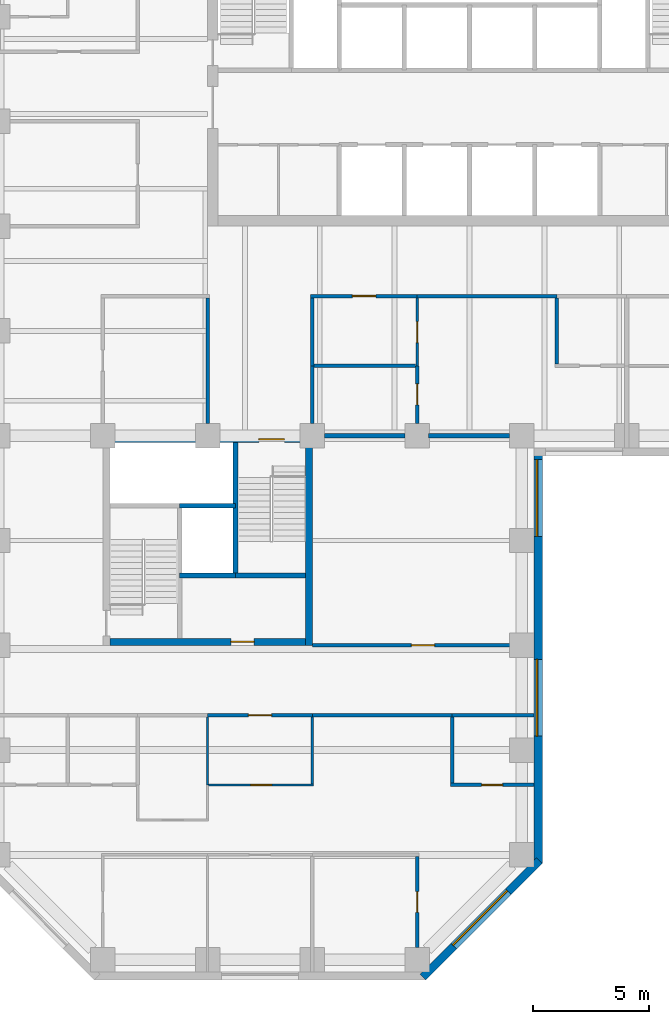
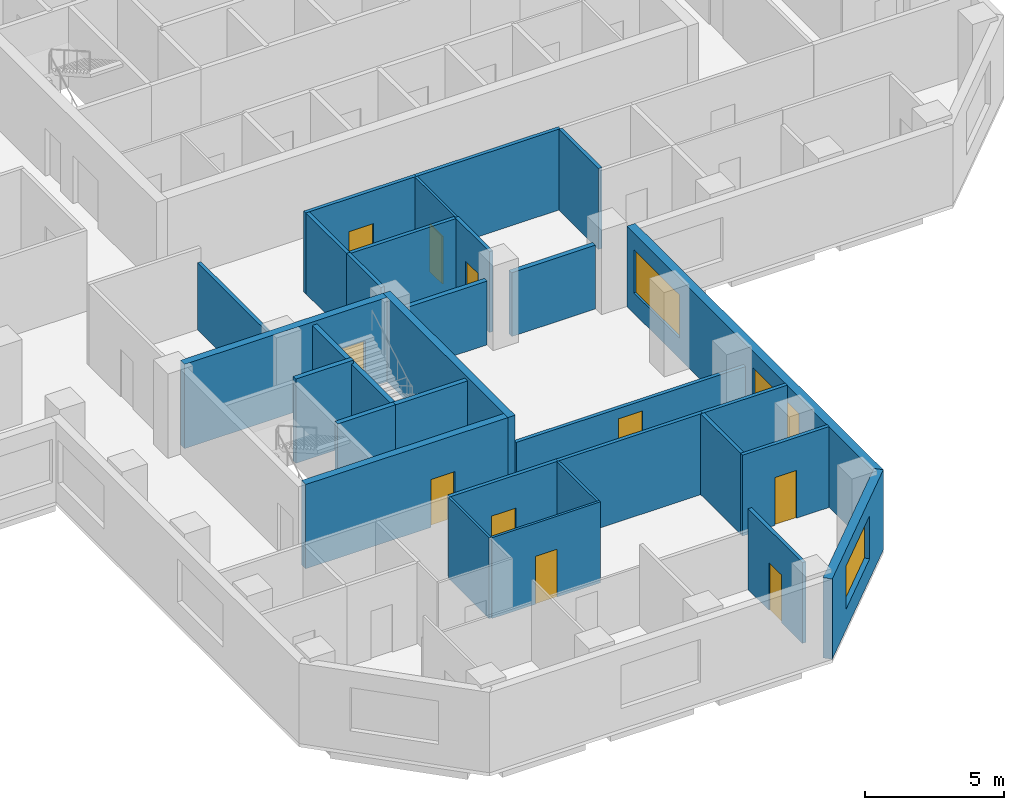
# One storey, part 4 of 11: 30 walls, 10 doors, 3 windows, 13 openings.
"""IFC4 building model written with IfcOpenShell, lengths in metres."""

from ifc_helpers import new_model, si_unit, direction, frame, frame_2d, origin, place, context, subcontext, project, spatial, rectangle, extrude, material, layer, layer_set, constituent, constituent_set, type_object, element, fill, save


model = new_model("IFC4")

# Units and contexts
model_context = context("Model", 3, precision=1e-05, world=origin(), true_north=direction((0.0, 1.0)))
body_context = subcontext(model_context, "Body", "Model", "MODEL_VIEW")
ifc_project = project(units=[si_unit("LENGTHUNIT", "METRE"), si_unit("AREAUNIT", "SQUARE_METRE"), si_unit("VOLUMEUNIT", "CUBIC_METRE"), si_unit("PLANEANGLEUNIT", "RADIAN"), si_unit("MASSUNIT", "GRAM", prefix="KILO")], contexts=[model_context])

# Site, building, storey
site_placement = place(None, origin())
site = spatial("IfcSite", under=ifc_project, at=site_placement, CompositionType="ELEMENT")
building_placement = place(site_placement, origin())
building = spatial("IfcBuilding", under=site, at=building_placement, Name="Quoin Convention Tower", CompositionType="ELEMENT")
storey_placement = place(building_placement, frame((0.0, 0.0, 134.39990234375)))
storey = spatial("IfcBuildingStorey", under=building, at=storey_placement, Name="L35", CompositionType="ELEMENT", Elevation=134.39990234375)

# Wall
ifc_material_1 = material(Name="Plasterboard")
ifc_layer_1 = layer(ifc_material_1, 0.012451171875, Name="Finish")
ifc_material_2 = material(Name="Steel stud framing", Category="steel")
ifc_layer_2 = layer(ifc_material_2, 0.125, Name="Structure")
ifc_layer_3 = layer(ifc_material_1, 0.012451171875, Name="Finish")
ifc_layer_set_1 = layer_set([ifc_layer_1, ifc_layer_2, ifc_layer_3], Name="Steel stud framing")
wall_type_1 = type_object("IfcWallType", Name="Acoustic partition 150", PredefinedType="PARTITIONING", material=ifc_layer_set_1)
wall_1_placement = place(storey_placement, frame((49.574951171875, 43.5, 0.0), z_axis=(0.0, 0.0, 1.0), x_axis=(1.0, 0.0, 0.0)))
element("IfcWall", 1, at=wall_1_placement, inside=storey, type_object=wall_type_1, Name="pw-L35-019", PredefinedType="PARTITIONING", context=body_context, shape_type="SweptSolid", body=[
    extrude(rectangle(XDim=4.35009765625, YDim=0.14990234375, at=frame_2d((2.175048828125, 0.0))), origin(), (0.0, 0.0, 1.0), 3.550048828125),
])

# Wall, opening, door
wall_2_placement = place(storey_placement, frame((54.0, 18.52490234375, 0.0), z_axis=(0.0, 0.0, 1.0), x_axis=(0.0, 1.0, 0.0)))
wall_2 = element("IfcWall", 2, at=wall_2_placement, inside=storey, type_object=wall_type_1, Name="pw-L35-061", PredefinedType="PARTITIONING", context=body_context, shape_type="SweptSolid", body=[
    extrude(rectangle(XDim=3.900146484375, YDim=0.14990234375, at=frame_2d((1.9501953125, 0.0))), origin(), (0.0, 0.0, 1.0), 3.550048828125),
])
opening_1_placement = place(wall_2_placement, frame((1.5, 0.0, 0.0)))
opening_1 = element("IfcOpeningElement", 3, at=opening_1_placement, cuts=wall_2, Name="Opening DOL7-26", PredefinedType="OPENING", context=body_context, shape_type="SweptSolid", body=[
    extrude(rectangle(XDim=0.89990234375, YDim=2.10009765625, at=frame_2d((0.449951171875, 1.050048828125))), frame((0.0, 0.0849609375, 0.0), z_axis=(0.0, -1.0, 0.0), x_axis=(1.0, 0.0, 0.0)), (0.0, 0.0, 1.0), 0.169921875),
])
ifc_material_3 = material(Name="Steel door leaf", Category="steel")
door_type_1 = type_object("IfcDoorType", Name="Office door 900 x 2100", OperationType="SINGLE_SWING_RIGHT", PredefinedType="DOOR", material=ifc_material_3)
door_1_placement = place(opening_1_placement, frame((0.89990234375, 0.0, 0.0), z_axis=(0.0, 0.0, 1.0), x_axis=(-1.0, 0.0, 0.0)))
door_1 = element("IfcDoor", 4, at=door_1_placement, inside=storey, type_object=door_type_1, Name="dr-L35-14", OperationType="SINGLE_SWING_LEFT", OverallHeight=2.10009765625, OverallWidth=0.89990234375, PredefinedType="DOOR", context=body_context, shape_type="SweptSolid", body=[
    extrude(rectangle(XDim=0.89990234375, YDim=2.10009765625, at=frame_2d((0.449951171875, 1.050048828125))), frame((0.0, 0.02490234375, 0.0), z_axis=(0.0, -1.0, 0.0), x_axis=(1.0, 0.0, 0.0)), (0.0, 0.0, 1.0), 0.050048828125),
])
fill(opening_1, door_1)

wall_3_placement = place(storey_placement, frame((54.0, 41.02490234375, 0.0), z_axis=(0.0, 0.0, 1.0), x_axis=(0.0, 1.0, 0.0)))
wall_3 = element("IfcWall", 5, at=wall_3_placement, inside=storey, type_object=wall_type_1, Name="pw-L35-076", PredefinedType="PARTITIONING", context=body_context, shape_type="SweptSolid", body=[
    extrude(rectangle(XDim=2.47509765625, YDim=0.14990234375, at=frame_2d((1.237548828125, 0.0))), origin(), (0.0, 0.0, 1.0), 3.550048828125),
])
opening_2_placement = place(wall_3_placement, frame((0.800048828125, 0.0, 0.0)))
opening_2 = element("IfcOpeningElement", 6, at=opening_2_placement, cuts=wall_3, Name="Opening DOL7-28", PredefinedType="OPENING", context=body_context, shape_type="SweptSolid", body=[
    extrude(rectangle(XDim=0.89990234375, YDim=2.10009765625, at=frame_2d((0.449951171875, 1.050048828125))), frame((0.0, 0.0849609375, 0.0), z_axis=(0.0, -1.0, 0.0), x_axis=(1.0, 0.0, 0.0)), (0.0, 0.0, 1.0), 0.169921875),
])
door_2_placement = place(opening_2_placement, frame((0.89990234375, 0.0, 0.0), z_axis=(0.0, 0.0, 1.0), x_axis=(-1.0, 0.0, 0.0)))
door_2 = element("IfcDoor", 7, at=door_2_placement, inside=storey, type_object=door_type_1, Name="dr-L35-21", OperationType="SINGLE_SWING_LEFT", OverallHeight=2.10009765625, OverallWidth=0.89990234375, PredefinedType="DOOR", context=body_context, shape_type="SweptSolid", body=[
    extrude(rectangle(XDim=0.89990234375, YDim=2.10009765625, at=frame_2d((0.449951171875, 1.050048828125))), frame((0.0, 0.02490234375, 0.0), z_axis=(0.0, -1.0, 0.0), x_axis=(1.0, 0.0, 0.0)), (0.0, 0.0, 1.0), 0.050048828125),
])
fill(opening_2, door_2)

# Wall, opening, window
ifc_material_4 = material(Name="Brick masonry", Category="masonry")
ifc_layer_4 = layer(ifc_material_4, 0.35009765625)
ifc_layer_set_2 = layer_set([ifc_layer_4], Name="Brick masonry")
wall_type_2 = type_object("IfcWallType", Name="Brick facade wall", PredefinedType="STANDARD", material=ifc_layer_set_2)
wall_4_placement = place(storey_placement, frame((54.23876953125, 17.248779296875, 0.0), z_axis=(0.0, 0.0, 1.0), x_axis=(0.707106781187, 0.707106781187, 0.0)))
wall_4 = element("IfcWall", 8, at=wall_4_placement, inside=storey, type_object=wall_type_2, Name="fw-L35-54000_18000", PredefinedType="STANDARD", context=body_context, shape_type="SweptSolid", body=[
    extrude(rectangle(XDim=7.088623046875, YDim=0.35009765625, at=frame_2d((3.54443359375, 0.0))), origin(), (0.0, 0.0, 1.0), 3.525146484375),
])
opening_3_placement = place(wall_4_placement, frame((1.894287109375, 0.0, 0.89990234375)))
opening_3 = element("IfcOpeningElement", 9, at=opening_3_placement, cuts=wall_4, Name="Opening W-02", PredefinedType="OPENING", context=body_context, shape_type="SweptSolid", body=[
    extrude(rectangle(XDim=3.300048828125, YDim=1.89990234375, at=frame_2d((1.64990234375, 0.949951171875))), frame((0.0, 0.18505859375, 0.0), z_axis=(0.0, -1.0, 0.0), x_axis=(1.0, 0.0, 0.0)), (0.0, 0.0, 1.0), 0.3701171875),
])
ifc_material_5 = material(Name="Aluminium", Category="aluminium")
ifc_constituent_1 = constituent(ifc_material_5, Name="Frame")
ifc_material_6 = material(Name="Insulated glass", Category="glass")
ifc_constituent_2 = constituent(ifc_material_6, Name="Glazing")
ifc_constituent_set = constituent_set(constituents=[ifc_constituent_1, ifc_constituent_2], Name="Aluminium")
window_type = type_object("IfcWindowType", Name="Office window", PartitioningType="DOUBLE_PANEL_VERTICAL", PredefinedType="WINDOW", material=ifc_constituent_set)
window_1_placement = place(opening_3_placement, origin())
window_1 = element("IfcWindow", 10, at=window_1_placement, inside=storey, type_object=window_type, Name="win-L35-56745_19755", OverallHeight=1.89990234375, OverallWidth=3.300048828125, PartitioningType="SINGLE_PANEL", PredefinedType="WINDOW", context=body_context, shape_type="SweptSolid", body=[
    extrude(rectangle(XDim=3.300048828125, YDim=1.89990234375, at=frame_2d((1.64990234375, 0.949951171875))), frame((0.0, 0.0849609375, 0.0), z_axis=(0.0, -1.0, 0.0), x_axis=(1.0, 0.0, 0.0)), (0.0, 0.0, 1.0), 0.06005859375),
])
fill(opening_3, window_1)

# Wall, openings, windows
wall_5_placement = place(storey_placement, frame((59.199951171875, 22.1376953125, 0.0), z_axis=(0.0, 0.0, 1.0), x_axis=(0.0, 1.0, 0.0)))
wall_5 = element("IfcWall", 11, at=wall_5_placement, inside=storey, type_object=wall_type_2, Name="fw-L35-58500_22500", PredefinedType="STANDARD", context=body_context, shape_type="SweptSolid", body=[
    extrude(rectangle(XDim=17.83740234375, YDim=0.35009765625, at=frame_2d((8.918701171875, 0.0))), origin(), (0.0, 0.0, 1.0), 3.525146484375),
])
opening_4_placement = place(wall_5_placement, frame((5.46240234375, 0.0, 0.89990234375)))
opening_4 = element("IfcOpeningElement", 12, at=opening_4_placement, cuts=wall_5, Name="Opening W-02", PredefinedType="OPENING", context=body_context, shape_type="SweptSolid", body=[
    extrude(rectangle(XDim=3.300048828125, YDim=1.89990234375, at=frame_2d((1.64990234375, 0.949951171875))), frame((0.0, 0.18505859375, 0.0), z_axis=(0.0, -1.0, 0.0), x_axis=(1.0, 0.0, 0.0)), (0.0, 0.0, 1.0), 0.3701171875),
])
opening_5_placement = place(wall_5_placement, frame((14.037353515625, 0.0, 0.89990234375)))
opening_5 = element("IfcOpeningElement", 13, at=opening_5_placement, cuts=wall_5, Name="Opening W-02", PredefinedType="OPENING", context=body_context, shape_type="SweptSolid", body=[
    extrude(rectangle(XDim=3.300048828125, YDim=1.89990234375, at=frame_2d((1.64990234375, 0.949951171875))), frame((0.0, 0.18505859375, 0.0), z_axis=(0.0, -1.0, 0.0), x_axis=(1.0, 0.0, 0.0)), (0.0, 0.0, 1.0), 0.3701171875),
])
window_2_placement = place(opening_4_placement, origin())
window_2 = element("IfcWindow", 14, at=window_2_placement, inside=storey, type_object=window_type, Name="win-L35-59200_29250", OverallHeight=1.89990234375, OverallWidth=3.300048828125, PartitioningType="SINGLE_PANEL", PredefinedType="WINDOW", context=body_context, shape_type="SweptSolid", body=[
    extrude(rectangle(XDim=3.300048828125, YDim=1.89990234375, at=frame_2d((1.64990234375, 0.949951171875))), frame((0.0, 0.0849609375, 0.0), z_axis=(0.0, -1.0, 0.0), x_axis=(1.0, 0.0, 0.0)), (0.0, 0.0, 1.0), 0.06005859375),
])
fill(opening_4, window_2)
window_3_placement = place(opening_5_placement, origin())
window_3 = element("IfcWindow", 15, at=window_3_placement, inside=storey, type_object=window_type, Name="win-L35-59200_38250", OverallHeight=1.89990234375, OverallWidth=3.300048828125, PartitioningType="SINGLE_PANEL", PredefinedType="WINDOW", context=body_context, shape_type="SweptSolid", body=[
    extrude(rectangle(XDim=3.300048828125, YDim=1.89990234375, at=frame_2d((1.64990234375, 0.949951171875))), frame((0.0, 0.0849609375, 0.0), z_axis=(0.0, -1.0, 0.0), x_axis=(1.0, 0.0, 0.0)), (0.0, 0.0, 1.0), 0.06005859375),
])
fill(opening_5, window_3)

# Walls
ifc_material_7 = material(Name="Concrete C50", Category="concrete")
ifc_layer_5 = layer(ifc_material_7, 0.199951171875)
ifc_layer_set_3 = layer_set([ifc_layer_5], Name="Concrete C50")
wall_type_3 = type_object("IfcWallType", Name="Core shaft wall", PredefinedType="SOLIDWALL", material=ifc_layer_set_3)
wall_6_placement = place(storey_placement, frame((43.800048828125, 34.5, 0.0), z_axis=(0.0, 0.0, 1.0), x_axis=(1.0, 0.0, 0.0)))
element("IfcWall", 16, at=wall_6_placement, inside=storey, type_object=wall_type_3, Name="cr-P3-L35-h3000_3300", PredefinedType="SOLIDWALL", context=body_context, shape_type="SweptSolid", body=[
    extrude(rectangle(XDim=2.39990234375, YDim=0.199951171875, at=frame_2d((1.199951171875, 0.0))), origin(), (0.0, 0.0, 1.0), 3.550048828125),
])
wall_7_placement = place(storey_placement, frame((46.199951171875, 34.5, 0.0), z_axis=(0.0, 0.0, 1.0), x_axis=(1.0, 0.0, 0.0)))
element("IfcWall", 17, at=wall_7_placement, inside=storey, type_object=wall_type_3, Name="cr-P3-L35-h3000_5700", PredefinedType="SOLIDWALL", context=body_context, shape_type="SweptSolid", body=[
    extrude(rectangle(XDim=3.0, YDim=0.199951171875, at=frame_2d((1.5, 0.0))), origin(), (0.0, 0.0, 1.0), 3.550048828125),
])
wall_8_placement = place(storey_placement, frame((46.199951171875, 34.5, 0.0), z_axis=(0.0, 0.0, 1.0), x_axis=(0.0, 1.0, 0.0)))
element("IfcWall", 18, at=wall_8_placement, inside=storey, type_object=wall_type_3, Name="cr-P3-L35-v5700_3000", PredefinedType="SOLIDWALL", context=body_context, shape_type="SweptSolid", body=[
    extrude(rectangle(XDim=5.699951171875, YDim=0.199951171875, at=frame_2d((2.85009765625, 0.0))), origin(), (0.0, 0.0, 1.0), 3.550048828125),
])
ifc_layer_6 = layer(ifc_material_7, 0.199951171875)
ifc_layer_set_4 = layer_set([ifc_layer_6], Name="Concrete C50")
wall_type_4 = type_object("IfcWallType", Name="Core shaft wall to the floor level over", PredefinedType="SOLIDWALL", material=ifc_layer_set_4)
wall_9_placement = place(storey_placement, frame((43.800048828125, 37.5, 0.0), z_axis=(0.0, 0.0, 1.0), x_axis=(1.0, 0.0, 0.0)))
element("IfcWall", 19, at=wall_9_placement, inside=storey, type_object=wall_type_4, Name="cr-P3-L35-h6000_3300", PredefinedType="SOLIDWALL", context=body_context, shape_type="SweptSolid", body=[
    extrude(rectangle(XDim=2.39990234375, YDim=0.199951171875, at=frame_2d((1.199951171875, 0.0))), origin(), (0.0, 0.0, 1.0), 3.7001953125),
])

# Wall, opening, door
ifc_layer_7 = layer(ifc_material_1, 0.012451171875, Name="Finish")
ifc_layer_8 = layer(ifc_material_2, 0.125, Name="Structure")
ifc_layer_9 = layer(ifc_material_1, 0.012451171875, Name="Finish")
ifc_layer_set_5 = layer_set([ifc_layer_7, ifc_layer_8, ifc_layer_9], Name="Steel stud framing")
wall_type_5 = type_object("IfcWallType", Name="Corridor wall 150", PredefinedType="PARTITIONING", material=ifc_layer_set_5)
wall_10_placement = place(storey_placement, frame((45.0, 28.5, 0.0), z_axis=(0.0, 0.0, 1.0), x_axis=(1.0, 0.0, 0.0)))
wall_10 = element("IfcWall", 20, at=wall_10_placement, inside=storey, type_object=wall_type_5, Name="pw-L35-012", PredefinedType="PARTITIONING", context=body_context, shape_type="SweptSolid", body=[
    extrude(rectangle(XDim=4.5, YDim=0.14990234375, at=frame_2d((2.25, 0.0))), origin(), (0.0, 0.0, 1.0), 3.550048828125),
])
opening_6_placement = place(wall_10_placement, frame((1.75, 0.0, 0.0)))
opening_6 = element("IfcOpeningElement", 21, at=opening_6_placement, cuts=wall_10, Name="Opening DOL7-07", PredefinedType="OPENING", context=body_context, shape_type="SweptSolid", body=[
    extrude(rectangle(XDim=1.0, YDim=2.10009765625, at=frame_2d((0.5, 1.050048828125))), frame((0.0, 0.0849609375, 0.0), z_axis=(0.0, -1.0, 0.0), x_axis=(1.0, 0.0, 0.0)), (0.0, 0.0, 1.0), 0.169921875),
])
door_type_2 = type_object("IfcDoorType", Name="Tenancy entrance door 1000 x 2100", OperationType="DOUBLE_DOOR_SINGLE_SWING", PredefinedType="DOOR", material=ifc_material_3)
door_3_placement = place(opening_6_placement, frame((1.0, 0.0, 0.0), z_axis=(0.0, 0.0, 1.0), x_axis=(-1.0, 0.0, 0.0)))
door_3 = element("IfcDoor", 22, at=door_3_placement, inside=storey, type_object=door_type_2, Name="dr-L35-08", OperationType="DOUBLE_DOOR_SINGLE_SWING", OverallHeight=2.10009765625, OverallWidth=1.0, PredefinedType="DOOR", context=body_context, shape_type="SweptSolid", body=[
    extrude(rectangle(XDim=1.0, YDim=2.10009765625, at=frame_2d((0.5, 1.050048828125))), frame((0.0, 0.02490234375, 0.0), z_axis=(0.0, -1.0, 0.0), x_axis=(1.0, 0.0, 0.0)), (0.0, 0.0, 1.0), 0.050048828125),
])
fill(opening_6, door_3)

# Walls
wall_11_placement = place(storey_placement, frame((49.5, 28.5, 0.0), z_axis=(0.0, 0.0, 1.0), x_axis=(1.0, 0.0, 0.0)))
element("IfcWall", 23, at=wall_11_placement, inside=storey, type_object=wall_type_5, Name="pw-L35-013", PredefinedType="PARTITIONING", context=body_context, shape_type="SweptSolid", body=[
    extrude(rectangle(XDim=6.0, YDim=0.14990234375, at=frame_2d((3.0, 0.0))), origin(), (0.0, 0.0, 1.0), 3.550048828125),
])
wall_12_placement = place(storey_placement, frame((55.5, 28.5, 0.0), z_axis=(0.0, 0.0, 1.0), x_axis=(1.0, 0.0, 0.0)))
element("IfcWall", 24, at=wall_12_placement, inside=storey, type_object=wall_type_5, Name="pw-L35-014", PredefinedType="PARTITIONING", context=body_context, shape_type="SweptSolid", body=[
    extrude(rectangle(XDim=3.52490234375, YDim=0.14990234375, at=frame_2d((1.762451171875, 0.0))), origin(), (0.0, 0.0, 1.0), 3.550048828125),
])

# Wall, opening, door
wall_13_placement = place(storey_placement, frame((49.425048828125, 46.5, 0.0), z_axis=(0.0, 0.0, 1.0), x_axis=(1.0, 0.0, 0.0)))
wall_13 = element("IfcWall", 25, at=wall_13_placement, inside=storey, type_object=wall_type_5, Name="pw-L35-024", PredefinedType="PARTITIONING", context=body_context, shape_type="SweptSolid", body=[
    extrude(rectangle(XDim=4.574951171875, YDim=0.14990234375, at=frame_2d((2.28759765625, 0.0))), origin(), (0.0, 0.0, 1.0), 3.550048828125),
])
opening_7_placement = place(wall_13_placement, frame((1.800048828125, 0.0, 0.0)))
opening_7 = element("IfcOpeningElement", 26, at=opening_7_placement, cuts=wall_13, Name="Opening DOL7-11", PredefinedType="OPENING", context=body_context, shape_type="SweptSolid", body=[
    extrude(rectangle(XDim=1.0, YDim=2.10009765625, at=frame_2d((0.5, 1.050048828125))), frame((0.0, 0.0849609375, 0.0), z_axis=(0.0, -1.0, 0.0), x_axis=(1.0, 0.0, 0.0)), (0.0, 0.0, 1.0), 0.169921875),
])
door_4_placement = place(opening_7_placement, origin())
door_4 = element("IfcDoor", 27, at=door_4_placement, inside=storey, type_object=door_type_2, Name="dr-L35-18", OperationType="DOUBLE_DOOR_SINGLE_SWING", OverallHeight=2.10009765625, OverallWidth=1.0, PredefinedType="DOOR", context=body_context, shape_type="SweptSolid", body=[
    extrude(rectangle(XDim=1.0, YDim=2.10009765625, at=frame_2d((0.5, 1.050048828125))), frame((0.0, 0.02490234375, 0.0), z_axis=(0.0, -1.0, 0.0), x_axis=(1.0, 0.0, 0.0)), (0.0, 0.0, 1.0), 0.050048828125),
])
fill(opening_7, door_4)

# Walls
wall_14_placement = place(storey_placement, frame((54.0, 46.5, 0.0), z_axis=(0.0, 0.0, 1.0), x_axis=(1.0, 0.0, 0.0)))
element("IfcWall", 28, at=wall_14_placement, inside=storey, type_object=wall_type_5, Name="pw-L35-025", PredefinedType="PARTITIONING", context=body_context, shape_type="SweptSolid", body=[
    extrude(rectangle(XDim=6.0, YDim=0.14990234375, at=frame_2d((3.0, 0.0))), origin(), (0.0, 0.0, 1.0), 3.550048828125),
])
wall_15_placement = place(storey_placement, frame((49.5, 41.02490234375, 0.0), z_axis=(0.0, 0.0, 1.0), x_axis=(0.0, 1.0, 0.0)))
element("IfcWall", 29, at=wall_15_placement, inside=storey, type_object=wall_type_5, Name="pw-L35-075", PredefinedType="PARTITIONING", context=body_context, shape_type="SweptSolid", body=[
    extrude(rectangle(XDim=2.47509765625, YDim=0.14990234375, at=frame_2d((1.237548828125, 0.0))), origin(), (0.0, 0.0, 1.0), 3.550048828125),
])
wall_16_placement = place(storey_placement, frame((49.5, 43.5, 0.0), z_axis=(0.0, 0.0, 1.0), x_axis=(0.0, 1.0, 0.0)))
element("IfcWall", 30, at=wall_16_placement, inside=storey, type_object=wall_type_5, Name="pw-L35-079", PredefinedType="PARTITIONING", context=body_context, shape_type="SweptSolid", body=[
    extrude(rectangle(XDim=2.925048828125, YDim=0.14990234375, at=frame_2d((1.46240234375, 0.0))), origin(), (0.0, 0.0, 1.0), 3.550048828125),
])

# Wall, opening, door
ifc_layer_10 = layer(ifc_material_1, 0.012451171875, Name="Finish")
ifc_layer_11 = layer(ifc_material_2, 0.125, Name="Structure")
ifc_layer_12 = layer(ifc_material_1, 0.012451171875, Name="Finish")
ifc_layer_set_6 = layer_set([ifc_layer_10, ifc_layer_11, ifc_layer_12], Name="Steel stud framing")
wall_type_6 = type_object("IfcWallType", Name="Corridor wall 150 under beam 1000", PredefinedType="PARTITIONING", material=ifc_layer_set_6)
wall_17_placement = place(storey_placement, frame((49.5, 31.5, 0.0), z_axis=(0.0, 0.0, 1.0), x_axis=(1.0, 0.0, 0.0)))
wall_17 = element("IfcWall", 31, at=wall_17_placement, inside=storey, type_object=wall_type_6, Name="pw-L35-015", PredefinedType="PARTITIONING", context=body_context, shape_type="SweptSolid", body=[
    extrude(rectangle(XDim=9.52490234375, YDim=0.14990234375, at=frame_2d((4.762451171875, 0.0))), origin(), (0.0, 0.0, 1.0), 2.550048828125),
])
opening_8_placement = place(wall_17_placement, frame((4.25, 0.0, 0.0)))
opening_8 = element("IfcOpeningElement", 32, at=opening_8_placement, cuts=wall_17, Name="Opening DOL7-08", PredefinedType="OPENING", context=body_context, shape_type="SweptSolid", body=[
    extrude(rectangle(XDim=1.0, YDim=2.10009765625, at=frame_2d((0.5, 1.050048828125))), frame((0.0, 0.0849609375, 0.0), z_axis=(0.0, -1.0, 0.0), x_axis=(1.0, 0.0, 0.0)), (0.0, 0.0, 1.0), 0.169921875),
])
door_5_placement = place(opening_8_placement, origin())
door_5 = element("IfcDoor", 33, at=door_5_placement, inside=storey, type_object=door_type_2, Name="dr-L35-17", OperationType="DOUBLE_DOOR_SINGLE_SWING", OverallHeight=2.10009765625, OverallWidth=1.0, PredefinedType="DOOR", context=body_context, shape_type="SweptSolid", body=[
    extrude(rectangle(XDim=1.0, YDim=2.10009765625, at=frame_2d((0.5, 1.050048828125))), frame((0.0, 0.02490234375, 0.0), z_axis=(0.0, -1.0, 0.0), x_axis=(1.0, 0.0, 0.0)), (0.0, 0.0, 1.0), 0.050048828125),
])
fill(opening_8, door_5)

# Wall
ifc_layer_13 = layer(ifc_material_1, 0.012451171875, Name="Finish")
ifc_layer_14 = layer(ifc_material_2, 0.125, Name="Structure")
ifc_layer_15 = layer(ifc_material_1, 0.012451171875, Name="Finish")
ifc_layer_set_7 = layer_set([ifc_layer_13, ifc_layer_14, ifc_layer_15], Name="Steel stud framing")
wall_type_7 = type_object("IfcWallType", Name="Corridor wall 150 under beam 612", PredefinedType="PARTITIONING", material=ifc_layer_set_7)
wall_18_placement = place(storey_placement, frame((45.0, 41.02490234375, 0.0), z_axis=(0.0, 0.0, 1.0), x_axis=(0.0, 1.0, 0.0)))
element("IfcWall", 34, at=wall_18_placement, inside=storey, type_object=wall_type_7, Name="pw-L35-074", PredefinedType="PARTITIONING", context=body_context, shape_type="SweptSolid", body=[
    extrude(rectangle(XDim=5.400146484375, YDim=0.14990234375, at=frame_2d((2.7001953125, 0.0))), origin(), (0.0, 0.0, 1.0), 2.93798828125),
])

# Wall, opening, door
ifc_material_8 = material(Name="Concrete C65", Category="concrete")
ifc_layer_16 = layer(ifc_material_8, 0.300048828125)
ifc_layer_set_8 = layer_set([ifc_layer_16], Name="Concrete C65")
wall_type_8 = type_object("IfcWallType", Name="RC CORE WALL 300 C65", PredefinedType="SHEAR", material=ifc_layer_set_8)
wall_19_placement = place(storey_placement, frame((40.800048828125, 31.64990234375, 0.0), z_axis=(0.0, 0.0, 1.0), x_axis=(1.0, 0.0, 0.0)))
wall_19 = element("IfcWall", 35, at=wall_19_placement, inside=storey, type_object=wall_type_8, Name="cwl-P3-L35-S", PredefinedType="SHEAR", context=body_context, shape_type="SweptSolid", body=[
    extrude(rectangle(XDim=8.39990234375, YDim=0.300048828125, at=frame_2d((4.199951171875, 0.0))), origin(), (0.0, 0.0, 1.0), 3.7001953125),
])
opening_9_placement = place(wall_19_placement, frame((5.199951171875, 0.0, 0.0)))
opening_9 = element("IfcOpeningElement", 36, at=opening_9_placement, cuts=wall_19, Name="Opening DCV0-61", PredefinedType="OPENING", context=body_context, shape_type="SweptSolid", body=[
    extrude(rectangle(XDim=1.0, YDim=2.10009765625, at=frame_2d((0.5, 1.050048828125))), frame((0.0, 0.159912109375, 0.0), z_axis=(0.0, -1.0, 0.0), x_axis=(1.0, 0.0, 0.0)), (0.0, 0.0, 1.0), 0.320068359375),
])
door_type_3 = type_object("IfcDoorType", Name="Service door 1000 x 2100", OperationType="SINGLE_SWING_LEFT", PredefinedType="DOOR", material=ifc_material_3)
door_6_placement = place(opening_9_placement, origin())
door_6 = element("IfcDoor", 37, at=door_6_placement, inside=storey, type_object=door_type_3, Name="cd-P3-L35-R2-S", OperationType="SINGLE_SWING_LEFT", OverallHeight=2.10009765625, OverallWidth=1.0, PredefinedType="DOOR", context=body_context, shape_type="SweptSolid", body=[
    extrude(rectangle(XDim=1.0, YDim=2.10009765625, at=frame_2d((0.5, 1.050048828125))), frame((0.0, 0.02490234375, 0.0), z_axis=(0.0, -1.0, 0.0), x_axis=(1.0, 0.0, 0.0)), (0.0, 0.0, 1.0), 0.050048828125),
])
fill(opening_9, door_6)

wall_20_placement = place(storey_placement, frame((40.800048828125, 40.35009765625, 0.0), z_axis=(0.0, 0.0, 1.0), x_axis=(1.0, 0.0, 0.0)))
wall_20 = element("IfcWall", 38, at=wall_20_placement, inside=storey, type_object=wall_type_8, Name="cwl-P3-L35-N", PredefinedType="SHEAR", context=body_context, shape_type="SweptSolid", body=[
    extrude(rectangle(XDim=8.39990234375, YDim=0.300048828125, at=frame_2d((4.199951171875, 0.0))), origin(), (0.0, 0.0, 1.0), 3.7001953125),
])
opening_10_placement = place(wall_20_placement, frame((6.39990234375, 0.0, 0.0)))
opening_10 = element("IfcOpeningElement", 39, at=opening_10_placement, cuts=wall_20, Name="Opening SD6", PredefinedType="OPENING", context=body_context, shape_type="SweptSolid", body=[
    extrude(rectangle(XDim=1.10009765625, YDim=2.10009765625, at=frame_2d((0.550048828125, 1.050048828125))), frame((0.0, 0.159912109375, 0.0), z_axis=(0.0, -1.0, 0.0), x_axis=(1.0, 0.0, 0.0)), (0.0, 0.0, 1.0), 0.320068359375),
])
door_type_4 = type_object("IfcDoorType", Name="Stair door 1100 x 2100", OperationType="SINGLE_SWING_RIGHT", PredefinedType="DOOR", material=ifc_material_3)
door_7_placement = place(opening_10_placement, frame((1.10009765625, 0.0, 0.0), z_axis=(0.0, 0.0, 1.0), x_axis=(-1.0, 0.0, 0.0)))
door_7 = element("IfcDoor", 40, at=door_7_placement, inside=storey, type_object=door_type_4, Name="cd-P3-L35-SB-N", OperationType="SINGLE_SWING_LEFT", OverallHeight=2.10009765625, OverallWidth=1.10009765625, PredefinedType="DOOR", context=body_context, shape_type="SweptSolid", body=[
    extrude(rectangle(XDim=1.10009765625, YDim=2.10009765625, at=frame_2d((0.550048828125, 1.050048828125))), frame((0.0, 0.02490234375, 0.0), z_axis=(0.0, -1.0, 0.0), x_axis=(1.0, 0.0, 0.0)), (0.0, 0.0, 1.0), 0.050048828125),
])
fill(opening_10, door_7)

# Wall
wall_21_placement = place(storey_placement, frame((49.35009765625, 31.5, 0.0), z_axis=(0.0, 0.0, 1.0), x_axis=(0.0, 1.0, 0.0)))
element("IfcWall", 41, at=wall_21_placement, inside=storey, type_object=wall_type_8, Name="cwl-P3-L35-E", PredefinedType="SHEAR", context=body_context, shape_type="SweptSolid", body=[
    extrude(rectangle(XDim=9.0, YDim=0.300048828125, at=frame_2d((4.5, 0.0))), origin(), (0.0, 0.0, 1.0), 3.7001953125),
])

# Wall, opening, door
ifc_layer_17 = layer(ifc_material_1, 0.012451171875, Name="Finish")
ifc_layer_18 = layer(ifc_material_2, 0.074951171875, Name="Structure")
ifc_layer_19 = layer(ifc_material_1, 0.012451171875, Name="Finish")
ifc_layer_set_9 = layer_set([ifc_layer_17, ifc_layer_18, ifc_layer_19], Name="Steel stud framing")
wall_type_9 = type_object("IfcWallType", Name="Stud partition 100", PredefinedType="PARTITIONING", material=ifc_layer_set_9)
wall_22_placement = place(storey_placement, frame((45.050048828125, 25.5, 0.0), z_axis=(0.0, 0.0, 1.0), x_axis=(1.0, 0.0, 0.0)))
wall_22 = element("IfcWall", 42, at=wall_22_placement, inside=storey, type_object=wall_type_9, Name="pw-L35-007", PredefinedType="PARTITIONING", context=body_context, shape_type="SweptSolid", body=[
    extrude(rectangle(XDim=4.5, YDim=0.10009765625, at=frame_2d((2.25, 0.0))), origin(), (0.0, 0.0, 1.0), 3.550048828125),
])
opening_11_placement = place(wall_22_placement, frame((1.800048828125, 0.0, 0.0)))
opening_11 = element("IfcOpeningElement", 43, at=opening_11_placement, cuts=wall_22, Name="Opening DOL7-05", PredefinedType="OPENING", context=body_context, shape_type="SweptSolid", body=[
    extrude(rectangle(XDim=0.89990234375, YDim=2.10009765625, at=frame_2d((0.449951171875, 1.050048828125))), frame((0.0, 0.06005859375, 0.0), z_axis=(0.0, -1.0, 0.0), x_axis=(1.0, 0.0, 0.0)), (0.0, 0.0, 1.0), 0.1201171875),
])
door_8_placement = place(opening_11_placement, frame((0.89990234375, 0.0, 0.0), z_axis=(0.0, 0.0, 1.0), x_axis=(-1.0, 0.0, 0.0)))
door_8 = element("IfcDoor", 44, at=door_8_placement, inside=storey, type_object=door_type_1, Name="dr-L35-09", OperationType="SINGLE_SWING_LEFT", OverallHeight=2.10009765625, OverallWidth=0.89990234375, PredefinedType="DOOR", context=body_context, shape_type="SweptSolid", body=[
    extrude(rectangle(XDim=0.89990234375, YDim=2.10009765625, at=frame_2d((0.449951171875, 1.050048828125))), frame((0.0, 0.02490234375, 0.0), z_axis=(0.0, -1.0, 0.0), x_axis=(1.0, 0.0, 0.0)), (0.0, 0.0, 1.0), 0.050048828125),
])
fill(opening_11, door_8)

# Walls
wall_23_placement = place(storey_placement, frame((45.0, 25.5, 0.0), z_axis=(0.0, 0.0, 1.0), x_axis=(0.0, 1.0, 0.0)))
element("IfcWall", 45, at=wall_23_placement, inside=storey, type_object=wall_type_9, Name="pw-L35-065", PredefinedType="PARTITIONING", context=body_context, shape_type="SweptSolid", body=[
    extrude(rectangle(XDim=2.925048828125, YDim=0.10009765625, at=frame_2d((1.46240234375, 0.0))), origin(), (0.0, 0.0, 1.0), 3.550048828125),
])
wall_24_placement = place(storey_placement, frame((49.5, 25.550048828125, 0.0), z_axis=(0.0, 0.0, 1.0), x_axis=(0.0, 1.0, 0.0)))
element("IfcWall", 46, at=wall_24_placement, inside=storey, type_object=wall_type_9, Name="pw-L35-066", PredefinedType="PARTITIONING", context=body_context, shape_type="SweptSolid", body=[
    extrude(rectangle(XDim=2.875, YDim=0.10009765625, at=frame_2d((1.4375, 0.0))), origin(), (0.0, 0.0, 1.0), 3.550048828125),
])

# Wall, opening, door
wall_25_placement = place(storey_placement, frame((54.0, 43.5, 0.0), z_axis=(0.0, 0.0, 1.0), x_axis=(0.0, 1.0, 0.0)))
wall_25 = element("IfcWall", 47, at=wall_25_placement, inside=storey, type_object=wall_type_9, Name="pw-L35-080", PredefinedType="PARTITIONING", context=body_context, shape_type="SweptSolid", body=[
    extrude(rectangle(XDim=2.925048828125, YDim=0.10009765625, at=frame_2d((1.46240234375, 0.0))), origin(), (0.0, 0.0, 1.0), 3.550048828125),
])
opening_12_placement = place(wall_25_placement, frame((1.0, 0.0, 0.0)))
opening_12 = element("IfcOpeningElement", 48, at=opening_12_placement, cuts=wall_25, Name="Opening DOL7-30", PredefinedType="OPENING", context=body_context, shape_type="SweptSolid", body=[
    extrude(rectangle(XDim=0.89990234375, YDim=2.10009765625, at=frame_2d((0.449951171875, 1.050048828125))), frame((0.0, 0.06005859375, 0.0), z_axis=(0.0, -1.0, 0.0), x_axis=(1.0, 0.0, 0.0)), (0.0, 0.0, 1.0), 0.1201171875),
])
door_9_placement = place(opening_12_placement, frame((0.89990234375, 0.0, 0.0), z_axis=(0.0, 0.0, 1.0), x_axis=(-1.0, 0.0, 0.0)))
door_9 = element("IfcDoor", 49, at=door_9_placement, inside=storey, type_object=door_type_1, Name="dr-L35-19", OperationType="SINGLE_SWING_LEFT", OverallHeight=2.10009765625, OverallWidth=0.89990234375, PredefinedType="DOOR", context=body_context, shape_type="SweptSolid", body=[
    extrude(rectangle(XDim=0.89990234375, YDim=2.10009765625, at=frame_2d((0.449951171875, 1.050048828125))), frame((0.0, 0.02490234375, 0.0), z_axis=(0.0, -1.0, 0.0), x_axis=(1.0, 0.0, 0.0)), (0.0, 0.0, 1.0), 0.050048828125),
])
fill(opening_12, door_9)

# Walls
ifc_layer_20 = layer(ifc_material_1, 0.012451171875, Name="Finish")
ifc_layer_21 = layer(ifc_material_2, 0.175048828125, Name="Structure")
ifc_layer_22 = layer(ifc_material_1, 0.012451171875, Name="Finish")
ifc_layer_set_10 = layer_set([ifc_layer_20, ifc_layer_21, ifc_layer_22], Name="Steel stud framing")
wall_type_10 = type_object("IfcWallType", Name="Tenancy demising wall 200 under beam 750", PredefinedType="PARTITIONING", material=ifc_layer_set_10)
wall_26_placement = place(storey_placement, frame((50.014892578125, 40.5, 0.0), z_axis=(0.0, 0.0, 1.0), x_axis=(1.0, 0.0, 0.0)))
element("IfcWall", 50, at=wall_26_placement, inside=storey, type_object=wall_type_10, Name="pw-L35-016", PredefinedType="PARTITIONING", context=body_context, shape_type="SweptSolid", body=[
    extrude(rectangle(XDim=3.460205078125, YDim=0.199951171875, at=frame_2d((1.72998046875, 0.0))), origin(), (0.0, 0.0, 1.0), 2.800048828125),
])
wall_27_placement = place(storey_placement, frame((54.4951171875, 40.5, 0.0), z_axis=(0.0, 0.0, 1.0), x_axis=(1.0, 0.0, 0.0)))
element("IfcWall", 51, at=wall_27_placement, inside=storey, type_object=wall_type_10, Name="pw-L35-017", PredefinedType="PARTITIONING", context=body_context, shape_type="SweptSolid", body=[
    extrude(rectangle(XDim=3.47998046875, YDim=0.199951171875, at=frame_2d((1.739990234375, 0.0))), origin(), (0.0, 0.0, 1.0), 2.800048828125),
])

# Wall, opening, door
ifc_layer_23 = layer(ifc_material_1, 0.012451171875, Name="Finish")
ifc_layer_24 = layer(ifc_material_2, 0.125, Name="Structure")
ifc_layer_25 = layer(ifc_material_1, 0.012451171875, Name="Finish")
ifc_layer_set_11 = layer_set([ifc_layer_23, ifc_layer_24, ifc_layer_25], Name="Steel stud framing")
wall_type_11 = type_object("IfcWallType", Name="Wet area partition 150", PredefinedType="PARTITIONING", material=ifc_layer_set_11)
wall_28_placement = place(storey_placement, frame((55.425048828125, 25.5, 0.0), z_axis=(0.0, 0.0, 1.0), x_axis=(1.0, 0.0, 0.0)))
wall_28 = element("IfcWall", 52, at=wall_28_placement, inside=storey, type_object=wall_type_11, Name="pw-L35-008", PredefinedType="PARTITIONING", context=body_context, shape_type="SweptSolid", body=[
    extrude(rectangle(XDim=3.599853515625, YDim=0.14990234375, at=frame_2d((1.7998046875, 0.0))), origin(), (0.0, 0.0, 1.0), 3.550048828125),
])
opening_13_placement = place(wall_28_placement, frame((1.35009765625, 0.0, 0.0)))
opening_13 = element("IfcOpeningElement", 53, at=opening_13_placement, cuts=wall_28, Name="Opening DOL7-06", PredefinedType="OPENING", context=body_context, shape_type="SweptSolid", body=[
    extrude(rectangle(XDim=0.89990234375, YDim=2.10009765625, at=frame_2d((0.449951171875, 1.050048828125))), frame((0.0, 0.0849609375, 0.0), z_axis=(0.0, -1.0, 0.0), x_axis=(1.0, 0.0, 0.0)), (0.0, 0.0, 1.0), 0.169921875),
])
door_10_placement = place(opening_13_placement, frame((0.89990234375, 0.0, 0.0), z_axis=(0.0, 0.0, 1.0), x_axis=(-1.0, 0.0, 0.0)))
door_10 = element("IfcDoor", 54, at=door_10_placement, inside=storey, type_object=door_type_1, Name="dr-L35-13", OperationType="SINGLE_SWING_LEFT", OverallHeight=2.10009765625, OverallWidth=0.89990234375, PredefinedType="DOOR", context=body_context, shape_type="SweptSolid", body=[
    extrude(rectangle(XDim=0.89990234375, YDim=2.10009765625, at=frame_2d((0.449951171875, 1.050048828125))), frame((0.0, 0.02490234375, 0.0), z_axis=(0.0, -1.0, 0.0), x_axis=(1.0, 0.0, 0.0)), (0.0, 0.0, 1.0), 0.050048828125),
])
fill(opening_13, door_10)

# Walls
for number, where, z_axis, x_axis, name in (
    (55, (55.5, 25.574951171875, 0.0), (0.0, 0.0, 1.0), (0.0, 1.0, 0.0), "pw-L35-068"),
    (56, (60.0, 43.574951171875, 0.0), (0.0, 0.0, 1.0), (0.0, 1.0, 0.0), "pw-L35-082"),
):
    element("IfcWall", number, at=place(storey_placement, frame(where, z_axis=z_axis, x_axis=x_axis)), inside=storey, type_object=wall_type_11, Name=name, PredefinedType="PARTITIONING", context=body_context, shape_type="SweptSolid", body=[
        extrude(rectangle(XDim=2.85009765625, YDim=0.14990234375, at=frame_2d((1.425048828125, 0.0))), origin(), (0.0, 0.0, 1.0), 3.550048828125),
    ])

save(model, "model.ifc")
